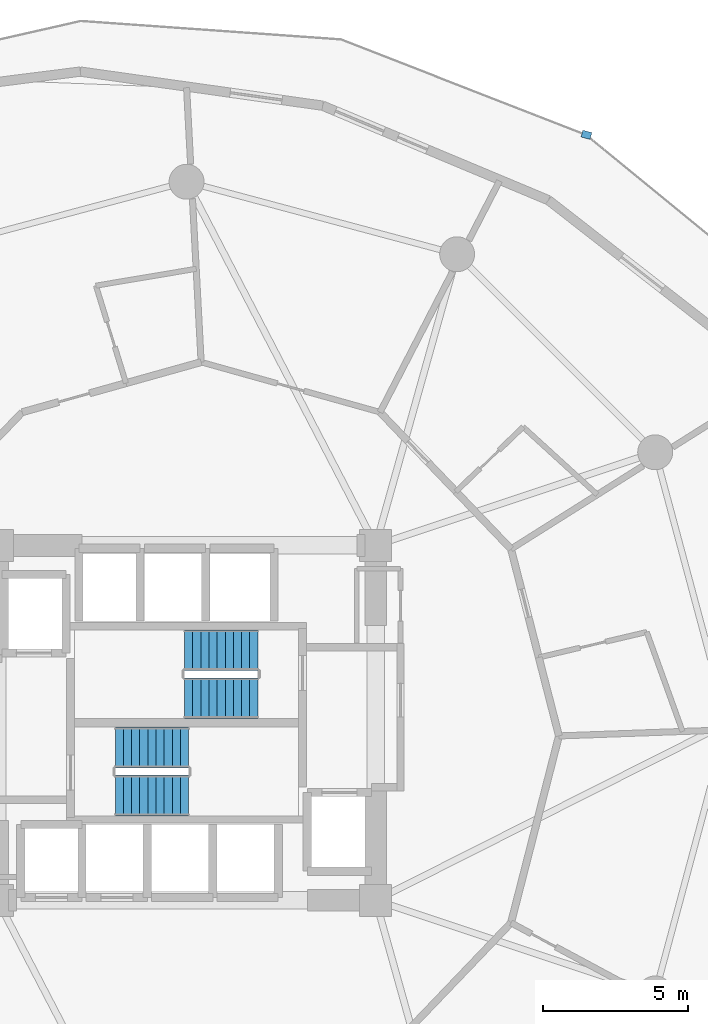
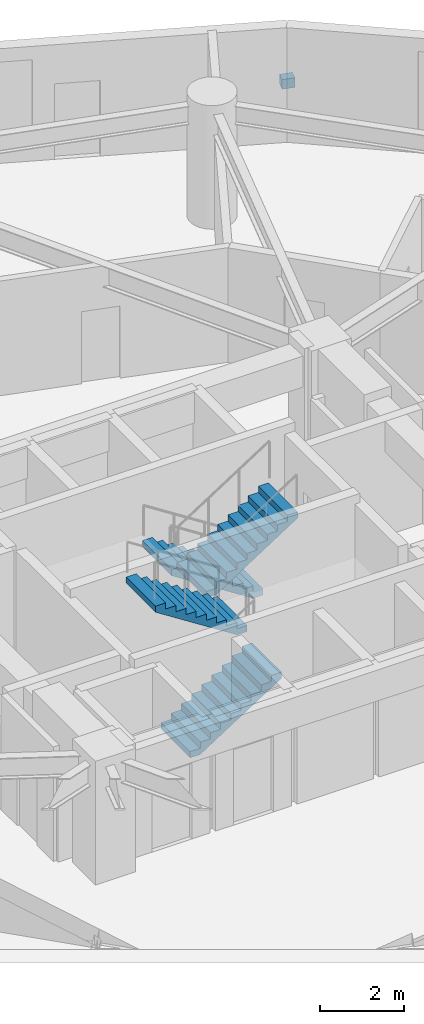
# One storey, part 22 of 25: 4 stair flights, 1 discrete accessory, 2 elements without a shape of their own.
"""IFC4 building model written with IfcOpenShell, lengths in metres."""

from ifc_helpers import new_model, si_unit, direction, frame, origin, origin_2d, place, context, subcontext, project, spatial, polyline, rectangle, outline, extrude, material, type_object, element, aggregate, save


model = new_model("IFC4")

# Units and contexts
model_context = context("Model", 3, precision=1e-05, world=origin(), true_north=direction((0.0, 1.0)))
body_context = subcontext(model_context, "Body", "Model", "MODEL_VIEW")
ifc_project = project(units=[si_unit("LENGTHUNIT", "METRE"), si_unit("AREAUNIT", "SQUARE_METRE"), si_unit("VOLUMEUNIT", "CUBIC_METRE"), si_unit("PLANEANGLEUNIT", "RADIAN"), si_unit("MASSUNIT", "GRAM", prefix="KILO")], contexts=[model_context])

# Site, building, storey
site_placement = place(None, origin())
site = spatial("IfcSite", under=ifc_project, at=site_placement, CompositionType="ELEMENT")
building_placement = place(site_placement, origin())
building = spatial("IfcBuilding", under=site, at=building_placement, Name="Solvirekh Grand Hotel", CompositionType="ELEMENT")
storey_placement = place(building_placement, frame((0.0, 0.0, 60.800048828125)))
storey = spatial("IfcBuildingStorey", under=building, at=storey_placement, Name="L14", CompositionType="ELEMENT", Elevation=60.800048828125)

# Stair, stair flights
ifc_material_1 = material(Name="Concrete C40/50", Category="concrete")
stair_type = type_object("IfcStairType", Name="Stair_Core_1450", PredefinedType="HALF_TURN_STAIR", material=ifc_material_1)
stair_1_placement = place(storey_placement, origin())
stair_1 = element("IfcStair", 1, at=stair_1_placement, inside=storey, type_object=stair_type, Name="L14 Enclosed exit stair ST-1", PredefinedType="HALF_TURN_STAIR")
stair_flight_type = type_object("IfcStairFlightType", Name="Flight_Core_1450", PredefinedType="STRAIGHT", material=ifc_material_1)
stair_flight_1_placement = place(storey_placement, frame((-2.449951171875, -2.5, 0.0), z_axis=(0.0, 0.0, 1.0), x_axis=(1.0, 0.0, 0.0)))
stair_flight_1 = element("IfcStairFlight", 2, at=stair_flight_1_placement, type_object=stair_flight_type, Name="ST-1 flight 1", NumberOfRisers=10, NumberOfTreads=9, PredefinedType="STRAIGHT", RiserHeight=0.18, TreadLength=0.28, context=body_context, shape_type="SweptSolid", body=[
    extrude(outline(polyline([(0.0, 0.0), (0.0, 0.179931640625), (0.280029296875, 0.179931640625), (0.280029296875, 0.360107421875), (0.56005859375, 0.360107421875), (0.56005859375, 0.5400390625), (0.840087890625, 0.5400390625), (0.840087890625, 0.719970703125), (1.1201171875, 0.719970703125), (1.1201171875, 0.89990234375), (1.39990234375, 0.89990234375), (1.39990234375, 1.080078125), (1.679931640625, 1.080078125), (1.679931640625, 1.260009765625), (1.9599609375, 1.260009765625), (1.9599609375, 1.43994140625), (2.239990234375, 1.43994140625), (2.239990234375, 1.6201171875), (2.52001953125, 1.6201171875), (2.52001953125, 1.800048828125), (2.52001953125, 1.44189453125), (0.277099609375, 0.0), (0.0, 0.0)])), frame((0.0, 0.699951171875, 0.0), z_axis=(0.0, -1.0, 0.0), x_axis=(1.0, 0.0, 0.0)), (0.0, 0.0, 1.0), 1.39990234375),
])
stair_flight_2_placement = place(storey_placement, frame((0.070068359375, -0.85009765625, 1.800048828125), z_axis=(0.0, 0.0, 1.0), x_axis=(-1.0, 0.0, 0.0)))
stair_flight_2 = element("IfcStairFlight", 3, at=stair_flight_2_placement, type_object=stair_flight_type, Name="ST-1 flight 2", NumberOfRisers=10, NumberOfTreads=9, PredefinedType="STRAIGHT", RiserHeight=0.18, TreadLength=0.28, context=body_context, shape_type="SweptSolid", body=[
    extrude(outline(polyline([(0.0, 0.0), (0.0, 0.179931640625), (0.280029296875, 0.179931640625), (0.280029296875, 0.360107421875), (0.56005859375, 0.360107421875), (0.56005859375, 0.5400390625), (0.840087890625, 0.5400390625), (0.840087890625, 0.719970703125), (1.1201171875, 0.719970703125), (1.1201171875, 0.89990234375), (1.39990234375, 0.89990234375), (1.39990234375, 1.080078125), (1.679931640625, 1.080078125), (1.679931640625, 1.260009765625), (1.9599609375, 1.260009765625), (1.9599609375, 1.43994140625), (2.239990234375, 1.43994140625), (2.239990234375, 1.6201171875), (2.52001953125, 1.6201171875), (2.52001953125, 1.800048828125), (2.52001953125, 1.44189453125), (0.277099609375, 0.0), (0.0, 0.0)])), frame((0.0, 0.699951171875, 0.0), z_axis=(0.0, -1.0, 0.0), x_axis=(1.0, 0.0, 0.0)), (0.0, 0.0, 1.0), 1.39990234375),
])
aggregate(stair_1, [stair_flight_1, stair_flight_2])

stair_2_placement = place(storey_placement, origin())
stair_2 = element("IfcStair", 4, at=stair_2_placement, inside=storey, type_object=stair_type, Name="L14 Enclosed exit stair ST-2", PredefinedType="HALF_TURN_STAIR")
stair_flight_3_placement = place(storey_placement, frame((2.449951171875, 2.5, 0.0), z_axis=(0.0, 0.0, 1.0), x_axis=(-1.0, 0.0, 0.0)))
stair_flight_3 = element("IfcStairFlight", 5, at=stair_flight_3_placement, type_object=stair_flight_type, Name="ST-2 flight 1", NumberOfRisers=10, NumberOfTreads=9, PredefinedType="STRAIGHT", RiserHeight=0.18, TreadLength=0.28, context=body_context, shape_type="SweptSolid", body=[
    extrude(outline(polyline([(0.0, 0.0), (0.0, 0.179931640625), (0.280029296875, 0.179931640625), (0.280029296875, 0.360107421875), (0.56005859375, 0.360107421875), (0.56005859375, 0.5400390625), (0.840087890625, 0.5400390625), (0.840087890625, 0.719970703125), (1.1201171875, 0.719970703125), (1.1201171875, 0.89990234375), (1.39990234375, 0.89990234375), (1.39990234375, 1.080078125), (1.679931640625, 1.080078125), (1.679931640625, 1.260009765625), (1.9599609375, 1.260009765625), (1.9599609375, 1.43994140625), (2.239990234375, 1.43994140625), (2.239990234375, 1.6201171875), (2.52001953125, 1.6201171875), (2.52001953125, 1.800048828125), (2.52001953125, 1.44189453125), (0.277099609375, 0.0), (0.0, 0.0)])), frame((0.0, 0.699951171875, 0.0), z_axis=(0.0, -1.0, 0.0), x_axis=(1.0, 0.0, 0.0)), (0.0, 0.0, 1.0), 1.39990234375),
])
stair_flight_4_placement = place(storey_placement, frame((-0.070068359375, 0.85009765625, 1.800048828125), z_axis=(0.0, 0.0, 1.0), x_axis=(1.0, 0.0, 0.0)))
stair_flight_4 = element("IfcStairFlight", 6, at=stair_flight_4_placement, type_object=stair_flight_type, Name="ST-2 flight 2", NumberOfRisers=10, NumberOfTreads=9, PredefinedType="STRAIGHT", RiserHeight=0.18, TreadLength=0.28, context=body_context, shape_type="SweptSolid", body=[
    extrude(outline(polyline([(0.0, 0.0), (0.0, 0.179931640625), (0.280029296875, 0.179931640625), (0.280029296875, 0.360107421875), (0.56005859375, 0.360107421875), (0.56005859375, 0.5400390625), (0.840087890625, 0.5400390625), (0.840087890625, 0.719970703125), (1.1201171875, 0.719970703125), (1.1201171875, 0.89990234375), (1.39990234375, 0.89990234375), (1.39990234375, 1.080078125), (1.679931640625, 1.080078125), (1.679931640625, 1.260009765625), (1.9599609375, 1.260009765625), (1.9599609375, 1.43994140625), (2.239990234375, 1.43994140625), (2.239990234375, 1.6201171875), (2.52001953125, 1.6201171875), (2.52001953125, 1.800048828125), (2.52001953125, 1.44189453125), (0.277099609375, 0.0), (0.0, 0.0)])), frame((0.0, 0.699951171875, 0.0), z_axis=(0.0, -1.0, 0.0), x_axis=(1.0, 0.0, 0.0)), (0.0, 0.0, 1.0), 1.39990234375),
])
aggregate(stair_2, [stair_flight_3, stair_flight_4])

# Discrete accessory
ifc_material_2 = material(Name="Steel S355", Category="steel")
discrete_accessory_type = type_object("IfcDiscreteAccessoryType", Name="Acc_ThermalBracket", PredefinedType="BRACKET", material=ifc_material_2)
discrete_accessory_placement = place(storey_placement, frame((13.7451171875, 20.212890625, -0.2802734375), z_axis=(0.0, 0.0, 1.0), x_axis=(0.964095404234, -0.265556117487, 0.0)))
element("IfcDiscreteAccessory", 7, at=discrete_accessory_placement, inside=storey, type_object=discrete_accessory_type, Name="L14 balcony thermal-break bracket", PredefinedType="BRACKET", context=body_context, shape_type="SweptSolid", body=[
    extrude(rectangle(XDim=0.320068359375, YDim=0.239990234375, at=origin_2d()), origin(), (0.0, 0.0, 1.0), 0.280029296875),
])

save(model, "model.ifc")
